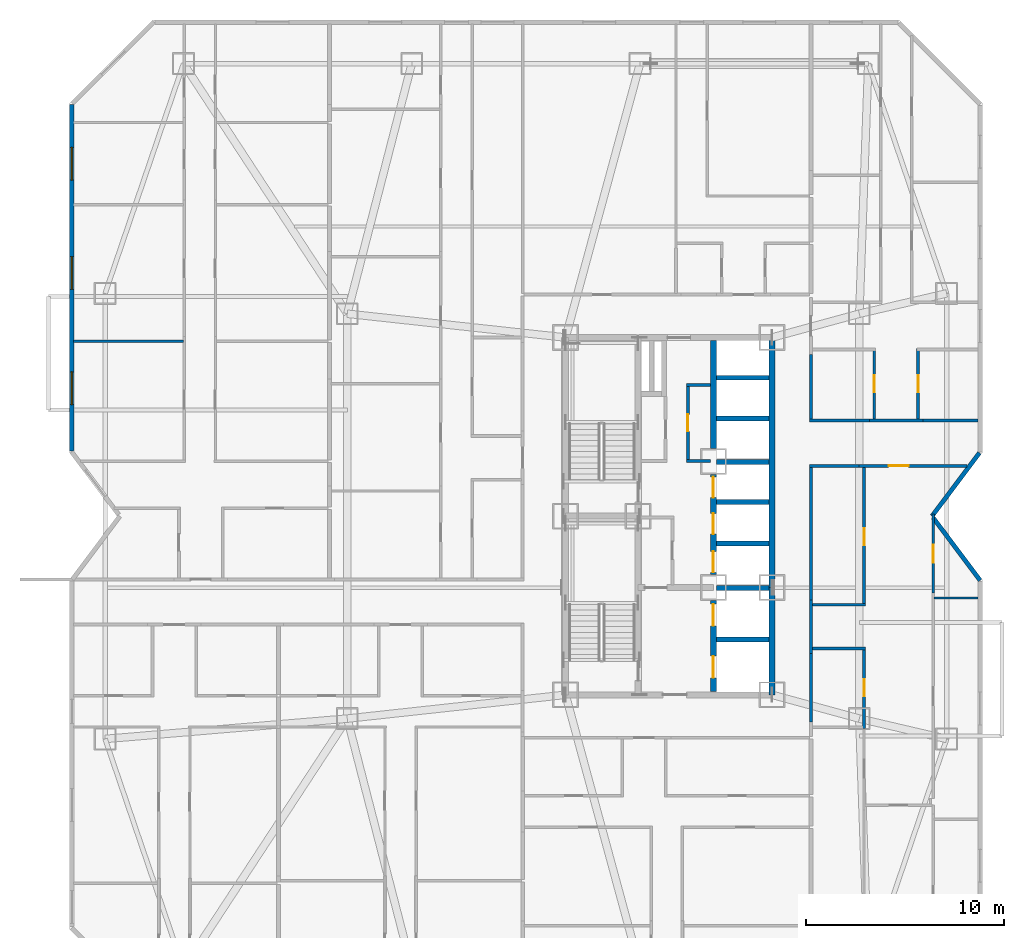
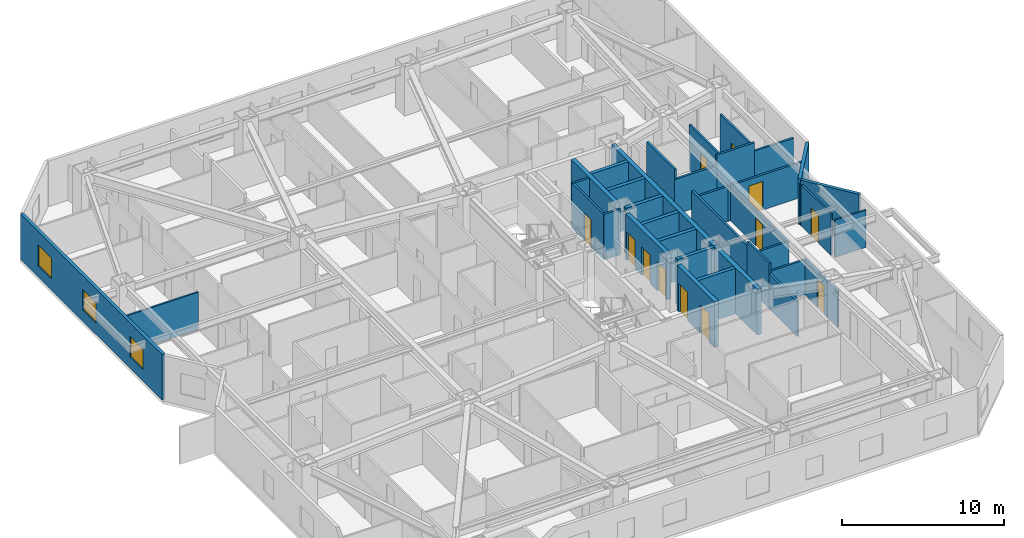
# One storey, part 10 of 14: 36 walls, 12 doors, 3 windows, 15 openings.
"""IFC4 building model written with IfcOpenShell, lengths in metres."""

from ifc_helpers import new_model, si_unit, direction, frame, frame_2d, origin, place, context, subcontext, project, spatial, rectangle, extrude, material, layer, layer_set, type_object, element, fill, save


model = new_model("IFC4")

# Units and contexts
model_context = context("Model", 3, precision=1e-05, world=origin(), true_north=direction((0.0, 1.0)))
body_context = subcontext(model_context, "Body", "Model", "MODEL_VIEW")
ifc_project = project(units=[si_unit("LENGTHUNIT", "METRE"), si_unit("AREAUNIT", "SQUARE_METRE"), si_unit("VOLUMEUNIT", "CUBIC_METRE"), si_unit("PLANEANGLEUNIT", "RADIAN"), si_unit("MASSUNIT", "GRAM", prefix="KILO")], contexts=[model_context])

# Site, building, storey
site_placement = place(None, origin())
site = spatial("IfcSite", under=ifc_project, at=site_placement, CompositionType="ELEMENT")
building_placement = place(site_placement, origin())
building = spatial("IfcBuilding", under=site, at=building_placement, Name="Khamvora Tower", CompositionType="ELEMENT")
storey_placement = place(building_placement, frame((0.0, 0.0, 51.550048828125)))
storey = spatial("IfcBuildingStorey", under=building, at=storey_placement, Name="L12", CompositionType="ELEMENT", Elevation=51.550048828125)

# Walls
ifc_material_1 = material(Name="Concrete C50/60", Category="concrete")
ifc_layer_1 = layer(ifc_material_1, 0.300048828125)
ifc_layer_set_1 = layer_set([ifc_layer_1], Name="Concrete C50/60")
wall_type_1 = type_object("IfcWallType", Name="WAL-CORE-300", PredefinedType="SHEAR", material=ifc_layer_set_1)
wall_1_placement = place(storey_placement, frame((39.39990234375, 19.0, 0.0), z_axis=(0.0, 0.0, 1.0), x_axis=(0.0, 1.0, 0.0)))
element("IfcWall", 1, at=wall_1_placement, inside=storey, type_object=wall_type_1, Name="L12 central core east south wall", PredefinedType="SHEAR", context=body_context, shape_type="SweptSolid", body=[
    extrude(rectangle(XDim=5.39990234375, YDim=0.300048828125, at=frame_2d((2.699951171875, 0.0))), origin(), (0.0, 0.0, 1.0), 3.429931640625),
])
wall_2_placement = place(storey_placement, frame((39.39990234375, 24.39990234375, 0.0), z_axis=(0.0, 0.0, 1.0), x_axis=(0.0, 1.0, 0.0)))
element("IfcWall", 2, at=wall_2_placement, inside=storey, type_object=wall_type_1, Name="L12 central core east north wall", PredefinedType="SHEAR", context=body_context, shape_type="SweptSolid", body=[
    extrude(rectangle(XDim=12.60009765625, YDim=0.300048828125, at=frame_2d((6.300048828125, 0.0))), origin(), (0.0, 0.0, 1.0), 3.429931640625),
])

# Wall, openings, doors
wall_3_placement = place(storey_placement, frame((36.449951171875, 19.154052734375, 0.0), z_axis=(0.0, 0.0, 1.0), x_axis=(0.0, 1.0, 0.0)))
wall_3 = element("IfcWall", 3, at=wall_3_placement, inside=storey, type_object=wall_type_1, Name="L12 central core lift bank south wall", PredefinedType="SHEAR", context=body_context, shape_type="SweptSolid", body=[
    extrude(rectangle(XDim=4.595947265625, YDim=0.300048828125, at=frame_2d((2.2978515625, 0.0))), origin(), (0.0, 0.0, 1.0), 3.429931640625),
])
opening_1_placement = place(wall_3_placement, frame((0.696044921875, 0.0, 0.0)))
opening_1 = element("IfcOpeningElement", 4, at=opening_1_placement, cuts=wall_3, Name="Opening LD-FFL", PredefinedType="OPENING", context=body_context, shape_type="SweptSolid", body=[
    extrude(rectangle(XDim=1.10009765625, YDim=2.14990234375, at=frame_2d((0.550048828125, 1.074951171875))), frame((0.0, 0.159912109375, 0.0), z_axis=(0.0, -1.0, 0.0), x_axis=(1.0, 0.0, 0.0)), (0.0, 0.0, 1.0), 0.320068359375),
])
opening_2_placement = place(wall_3_placement, frame((3.31591796875, 0.0, 0.0)))
opening_2 = element("IfcOpeningElement", 5, at=opening_2_placement, cuts=wall_3, Name="Opening LD-FFL", PredefinedType="OPENING", context=body_context, shape_type="SweptSolid", body=[
    extrude(rectangle(XDim=1.10009765625, YDim=2.14990234375, at=frame_2d((0.550048828125, 1.074951171875))), frame((0.0, 0.159912109375, 0.0), z_axis=(0.0, -1.0, 0.0), x_axis=(1.0, 0.0, 0.0)), (0.0, 0.0, 1.0), 0.320068359375),
])
ifc_material_2 = material(Name="Powder-Coated Steel and Hardwood Leaf", Category="steel")
door_type_1 = type_object("IfcDoorType", Name="DOR-LIFT-1100", OperationType="SLIDING_TO_LEFT", PredefinedType="DOOR", material=ifc_material_2)
door_1_placement = place(opening_1_placement, origin())
door_1 = element("IfcDoor", 6, at=door_1_placement, inside=storey, type_object=door_type_1, Name="L12 lift landing sliding door FFL-01", OperationType="SLIDING_TO_LEFT", OverallHeight=2.14990234375, OverallWidth=1.10009765625, PredefinedType="DOOR", context=body_context, shape_type="SweptSolid", body=[
    extrude(rectangle(XDim=1.10009765625, YDim=2.14990234375, at=frame_2d((0.550048828125, 1.074951171875))), frame((0.0, 0.02490234375, 0.0), z_axis=(0.0, -1.0, 0.0), x_axis=(1.0, 0.0, 0.0)), (0.0, 0.0, 1.0), 0.050048828125),
])
fill(opening_1, door_1)
door_2_placement = place(opening_2_placement, origin())
door_2 = element("IfcDoor", 7, at=door_2_placement, inside=storey, type_object=door_type_1, Name="L12 lift landing sliding door FFL-02", OperationType="SLIDING_TO_LEFT", OverallHeight=2.14990234375, OverallWidth=1.10009765625, PredefinedType="DOOR", context=body_context, shape_type="SweptSolid", body=[
    extrude(rectangle(XDim=1.10009765625, YDim=2.14990234375, at=frame_2d((0.550048828125, 1.074951171875))), frame((0.0, 0.02490234375, 0.0), z_axis=(0.0, -1.0, 0.0), x_axis=(1.0, 0.0, 0.0)), (0.0, 0.0, 1.0), 0.050048828125),
])
fill(opening_2, door_2)

wall_4_placement = place(storey_placement, frame((36.449951171875, 25.050048828125, 0.0), z_axis=(0.0, 0.0, 1.0), x_axis=(0.0, 1.0, 0.0)))
wall_4 = element("IfcWall", 8, at=wall_4_placement, inside=storey, type_object=wall_type_1, Name="L12 central core lift bank central wall", PredefinedType="SHEAR", context=body_context, shape_type="SweptSolid", body=[
    extrude(rectangle(XDim=5.050048828125, YDim=0.300048828125, at=frame_2d((2.52490234375, 0.0))), origin(), (0.0, 0.0, 1.0), 3.429931640625),
])
opening_3_placement = place(wall_4_placement, frame((0.1201171875, 0.0, 0.0)))
opening_3 = element("IfcOpeningElement", 9, at=opening_3_placement, cuts=wall_4, Name="Opening LD-PL", PredefinedType="OPENING", context=body_context, shape_type="SweptSolid", body=[
    extrude(rectangle(XDim=1.050048828125, YDim=2.14990234375, at=frame_2d((0.52490234375, 1.074951171875))), frame((0.0, 0.159912109375, 0.0), z_axis=(0.0, -1.0, 0.0), x_axis=(1.0, 0.0, 0.0)), (0.0, 0.0, 1.0), 0.320068359375),
])
opening_4_placement = place(wall_4_placement, frame((2.044921875, 0.0, 0.0)))
opening_4 = element("IfcOpeningElement", 10, at=opening_4_placement, cuts=wall_4, Name="Opening LD-PL", PredefinedType="OPENING", context=body_context, shape_type="SweptSolid", body=[
    extrude(rectangle(XDim=1.050048828125, YDim=2.14990234375, at=frame_2d((0.52490234375, 1.074951171875))), frame((0.0, 0.159912109375, 0.0), z_axis=(0.0, -1.0, 0.0), x_axis=(1.0, 0.0, 0.0)), (0.0, 0.0, 1.0), 0.320068359375),
])
opening_5_placement = place(wall_4_placement, frame((3.8798828125, 0.0, 0.0)))
opening_5 = element("IfcOpeningElement", 11, at=opening_5_placement, cuts=wall_4, Name="Opening LD-PL", PredefinedType="OPENING", context=body_context, shape_type="SweptSolid", body=[
    extrude(rectangle(XDim=1.050048828125, YDim=2.14990234375, at=frame_2d((0.52490234375, 1.074951171875))), frame((0.0, 0.159912109375, 0.0), z_axis=(0.0, -1.0, 0.0), x_axis=(1.0, 0.0, 0.0)), (0.0, 0.0, 1.0), 0.320068359375),
])
door_type_2 = type_object("IfcDoorType", Name="DOR-LIFT-1050", OperationType="SLIDING_TO_LEFT", PredefinedType="DOOR", material=ifc_material_2)
door_3_placement = place(opening_3_placement, origin())
door_3 = element("IfcDoor", 12, at=door_3_placement, inside=storey, type_object=door_type_2, Name="L12 lift landing sliding door PL-01", OperationType="SLIDING_TO_LEFT", OverallHeight=2.14990234375, OverallWidth=1.050048828125, PredefinedType="DOOR", context=body_context, shape_type="SweptSolid", body=[
    extrude(rectangle(XDim=1.050048828125, YDim=2.14990234375, at=frame_2d((0.52490234375, 1.074951171875))), frame((0.0, 0.02490234375, 0.0), z_axis=(0.0, -1.0, 0.0), x_axis=(1.0, 0.0, 0.0)), (0.0, 0.0, 1.0), 0.050048828125),
])
fill(opening_3, door_3)
door_4_placement = place(opening_4_placement, origin())
door_4 = element("IfcDoor", 13, at=door_4_placement, inside=storey, type_object=door_type_2, Name="L12 lift landing sliding door PL-02", OperationType="SLIDING_TO_LEFT", OverallHeight=2.14990234375, OverallWidth=1.050048828125, PredefinedType="DOOR", context=body_context, shape_type="SweptSolid", body=[
    extrude(rectangle(XDim=1.050048828125, YDim=2.14990234375, at=frame_2d((0.52490234375, 1.074951171875))), frame((0.0, 0.02490234375, 0.0), z_axis=(0.0, -1.0, 0.0), x_axis=(1.0, 0.0, 0.0)), (0.0, 0.0, 1.0), 0.050048828125),
])
fill(opening_4, door_4)
door_5_placement = place(opening_5_placement, origin())
door_5 = element("IfcDoor", 14, at=door_5_placement, inside=storey, type_object=door_type_2, Name="L12 lift landing sliding door PL-03", OperationType="SLIDING_TO_LEFT", OverallHeight=2.14990234375, OverallWidth=1.050048828125, PredefinedType="DOOR", context=body_context, shape_type="SweptSolid", body=[
    extrude(rectangle(XDim=1.050048828125, YDim=2.14990234375, at=frame_2d((0.52490234375, 1.074951171875))), frame((0.0, 0.02490234375, 0.0), z_axis=(0.0, -1.0, 0.0), x_axis=(1.0, 0.0, 0.0)), (0.0, 0.0, 1.0), 0.050048828125),
])
fill(opening_5, door_5)

# Walls
wall_5_placement = place(storey_placement, frame((36.449951171875, 31.39990234375, 0.0), z_axis=(0.0, 0.0, 1.0), x_axis=(0.0, 1.0, 0.0)))
element("IfcWall", 15, at=wall_5_placement, inside=storey, type_object=wall_type_1, Name="L12 central core lift bank north wall", PredefinedType="SHEAR", context=body_context, shape_type="SweptSolid", body=[
    extrude(rectangle(XDim=5.446044921875, YDim=0.300048828125, at=frame_2d((2.72314453125, 0.0))), origin(), (0.0, 0.0, 1.0), 3.429931640625),
])
ifc_material_3 = material(Name="Fire-Rated Drywall and Steel Stud", Category="steel")
ifc_layer_2 = layer(ifc_material_3, 0.14990234375)
ifc_layer_set_2 = layer_set([ifc_layer_2], Name="Fire-Rated Drywall and Steel Stud")
wall_type_2 = type_object("IfcWallType", Name="WAL-CORR-150", PredefinedType="STANDARD", material=ifc_layer_set_2)
wall_6_placement = place(storey_placement, frame((36.305908203125, 34.614990234375, 0.0), z_axis=(0.0, 0.0, 1.0), x_axis=(-1.0, 0.0, 0.0)))
element("IfcWall", 16, at=wall_6_placement, inside=storey, type_object=wall_type_2, Name="L12 interior partition wall 001", PredefinedType="STANDARD", context=body_context, shape_type="SweptSolid", body=[
    extrude(rectangle(XDim=1.205810546875, YDim=0.14990234375, at=frame_2d((0.60302734375, 0.0))), origin(), (0.0, 0.0, 1.0), 3.429931640625),
])

# Wall, opening, door
wall_7_placement = place(storey_placement, frame((35.1650390625, 34.677978515625, 0.0), z_axis=(0.0, 0.0, 1.0), x_axis=(0.0, -1.0, 0.0)))
wall_7 = element("IfcWall", 17, at=wall_7_placement, inside=storey, type_object=wall_type_2, Name="L12 interior partition wall 002", PredefinedType="STANDARD", context=body_context, shape_type="SweptSolid", body=[
    extrude(rectangle(XDim=3.9580078125, YDim=0.14990234375, at=frame_2d((1.97900390625, 0.0))), origin(), (0.0, 0.0, 1.0), 3.429931640625),
])
opening_6_placement = place(wall_7_placement, frame((1.553955078125, 0.0, 0.0)))
opening_6 = element("IfcOpeningElement", 18, at=opening_6_placement, cuts=wall_7, Name="Opening D-WC1", PredefinedType="OPENING", context=body_context, shape_type="SweptSolid", body=[
    extrude(rectangle(XDim=0.85009765625, YDim=2.10009765625, at=frame_2d((0.425048828125, 1.050048828125))), frame((0.0, 0.0849609375, 0.0), z_axis=(0.0, -1.0, 0.0), x_axis=(1.0, 0.0, 0.0)), (0.0, 0.0, 1.0), 0.169921875),
])
door_type_3 = type_object("IfcDoorType", Name="DOR-WET-850", OperationType="NOTDEFINED", PredefinedType="DOOR", material=ifc_material_2)
door_6_placement = place(opening_6_placement, origin())
door_6 = element("IfcDoor", 19, at=door_6_placement, inside=storey, type_object=door_type_3, Name="L12 interior door PLL-CS1", OperationType="SINGLE_SWING_RIGHT", OverallHeight=2.10009765625, OverallWidth=0.85009765625, PredefinedType="DOOR", context=body_context, shape_type="SweptSolid", body=[
    extrude(rectangle(XDim=0.85009765625, YDim=2.10009765625, at=frame_2d((0.425048828125, 1.050048828125))), frame((0.0, 0.02490234375, 0.0), z_axis=(0.0, -1.0, 0.0), x_axis=(1.0, 0.0, 0.0)), (0.0, 0.0, 1.0), 0.050048828125),
])
fill(opening_6, door_6)

# Wall
wall_8_placement = place(storey_placement, frame((35.10205078125, 30.784912109375, 0.0), z_axis=(0.0, 0.0, 1.0), x_axis=(1.0, 0.0, 0.0)))
element("IfcWall", 20, at=wall_8_placement, inside=storey, type_object=wall_type_2, Name="L12 interior partition wall 003", PredefinedType="STANDARD", context=body_context, shape_type="SweptSolid", body=[
    extrude(rectangle(XDim=1.197998046875, YDim=0.14990234375, at=frame_2d((0.59912109375, 0.0))), origin(), (0.0, 0.0, 1.0), 3.429931640625),
])

# Wall, opening, door
wall_9_placement = place(storey_placement, frame((49.236083984375, 30.534912109375, 0.0), z_axis=(0.0, 0.0, 1.0), x_axis=(-1.0, 0.0, 0.0)))
wall_9 = element("IfcWall", 21, at=wall_9_placement, inside=storey, type_object=wall_type_2, Name="L12 interior partition wall 035", PredefinedType="STANDARD", context=body_context, shape_type="SweptSolid", body=[
    extrude(rectangle(XDim=5.447021484375, YDim=0.14990234375, at=frame_2d((2.7236328125, 0.0))), origin(), (0.0, 0.0, 1.0), 2.64697265625),
])
opening_7_placement = place(wall_9_placement, frame((2.9580078125, 0.0, 0.0)))
opening_7 = element("IfcOpeningElement", 22, at=opening_7_placement, cuts=wall_9, Name="Opening D-U1", PredefinedType="OPENING", context=body_context, shape_type="SweptSolid", body=[
    extrude(rectangle(XDim=1.0, YDim=2.14990234375, at=frame_2d((0.5, 1.074951171875))), frame((0.0, 0.0849609375, 0.0), z_axis=(0.0, -1.0, 0.0), x_axis=(1.0, 0.0, 0.0)), (0.0, 0.0, 1.0), 0.169921875),
])
door_type_4 = type_object("IfcDoorType", Name="DOR-UNIT-1000", OperationType="NOTDEFINED", PredefinedType="DOOR", material=ifc_material_2)
door_7_placement = place(opening_7_placement, origin())
door_7 = element("IfcDoor", 23, at=door_7_placement, inside=storey, type_object=door_type_4, Name="L12 interior door COR-12EAH", OperationType="SINGLE_SWING_RIGHT", OverallHeight=2.14990234375, OverallWidth=1.0, PredefinedType="DOOR", context=body_context, shape_type="SweptSolid", body=[
    extrude(rectangle(XDim=1.0, YDim=2.14990234375, at=frame_2d((0.5, 1.074951171875))), frame((0.0, 0.02490234375, 0.0), z_axis=(0.0, -1.0, 0.0), x_axis=(1.0, 0.0, 0.0)), (0.0, 0.0, 1.0), 0.050048828125),
])
fill(opening_7, door_7)

# Walls
wall_10_placement = place(storey_placement, frame((41.364990234375, 23.782958984375, 0.0), z_axis=(0.0, 0.0, 1.0), x_axis=(0.0, -1.0, 0.0)))
element("IfcWall", 24, at=wall_10_placement, inside=storey, type_object=wall_type_2, Name="L12 interior partition wall 036", PredefinedType="STANDARD", context=body_context, shape_type="SweptSolid", body=[
    extrude(rectangle(XDim=2.697998046875, YDim=0.14990234375, at=frame_2d((1.34912109375, 0.0))), origin(), (0.0, 0.0, 1.0), 3.429931640625),
])
wall_11_placement = place(storey_placement, frame((41.364990234375, 21.0849609375, 0.0), z_axis=(0.0, 0.0, 1.0), x_axis=(0.0, -1.0, 0.0)))
element("IfcWall", 25, at=wall_11_placement, inside=storey, type_object=wall_type_2, Name="L12 interior partition wall 037", PredefinedType="STANDARD", context=body_context, shape_type="SweptSolid", body=[
    extrude(rectangle(XDim=3.467041015625, YDim=0.14990234375, at=frame_2d((1.7333984375, 0.0))), origin(), (0.0, 0.0, 1.0), 2.64697265625),
])
wall_12_placement = place(storey_placement, frame((43.7890625, 30.534912109375, 0.0), z_axis=(0.0, 0.0, 1.0), x_axis=(-1.0, 0.0, 0.0)))
element("IfcWall", 26, at=wall_12_placement, inside=storey, type_object=wall_type_2, Name="L12 interior partition wall 038", PredefinedType="STANDARD", context=body_context, shape_type="SweptSolid", body=[
    extrude(rectangle(XDim=2.489013671875, YDim=0.14990234375, at=frame_2d((1.24462890625, 0.0))), origin(), (0.0, 0.0, 1.0), 2.64697265625),
])
wall_13_placement = place(storey_placement, frame((41.364990234375, 30.60009765625, 0.0), z_axis=(0.0, 0.0, 1.0), x_axis=(0.0, -1.0, 0.0)))
element("IfcWall", 27, at=wall_13_placement, inside=storey, type_object=wall_type_2, Name="L12 interior partition wall 039", PredefinedType="STANDARD", context=body_context, shape_type="SweptSolid", body=[
    extrude(rectangle(XDim=6.817138671875, YDim=0.14990234375, at=frame_2d((3.40869140625, 0.0))), origin(), (0.0, 0.0, 1.0), 3.10693359375),
])
wall_14_placement = place(storey_placement, frame((44.31103515625, 32.81494140625, 0.0), z_axis=(0.0, 0.0, 1.0), x_axis=(1.0, 0.0, 0.0)))
element("IfcWall", 28, at=wall_14_placement, inside=storey, type_object=wall_type_2, Name="L12 interior partition wall 041", PredefinedType="STANDARD", context=body_context, shape_type="SweptSolid", body=[
    extrude(rectangle(XDim=2.697998046875, YDim=0.14990234375, at=frame_2d((1.34912109375, 0.0))), origin(), (0.0, 0.0, 1.0), 3.429931640625),
])
wall_15_placement = place(storey_placement, frame((41.364990234375, 36.14599609375, 0.0), z_axis=(0.0, 0.0, 1.0), x_axis=(0.0, -1.0, 0.0)))
element("IfcWall", 29, at=wall_15_placement, inside=storey, type_object=wall_type_2, Name="L12 interior partition wall 042", PredefinedType="STANDARD", context=body_context, shape_type="SweptSolid", body=[
    extrude(rectangle(XDim=3.39599609375, YDim=0.14990234375, at=frame_2d((1.697998046875, 0.0))), origin(), (0.0, 0.0, 1.0), 3.429931640625),
])
wall_16_placement = place(storey_placement, frame((41.300048828125, 32.81494140625, 0.0), z_axis=(0.0, 0.0, 1.0), x_axis=(1.0, 0.0, 0.0)))
element("IfcWall", 30, at=wall_16_placement, inside=storey, type_object=wall_type_2, Name="L12 interior partition wall 043", PredefinedType="STANDARD", context=body_context, shape_type="SweptSolid", body=[
    extrude(rectangle(XDim=3.010986328125, YDim=0.14990234375, at=frame_2d((1.50537109375, 0.0))), origin(), (0.0, 0.0, 1.0), 2.64697265625),
])
wall_17_placement = place(storey_placement, frame((47.009033203125, 32.81494140625, 0.0), z_axis=(0.0, 0.0, 1.0), x_axis=(1.0, 0.0, 0.0)))
element("IfcWall", 31, at=wall_17_placement, inside=storey, type_object=wall_type_2, Name="L12 interior partition wall 044", PredefinedType="STANDARD", context=body_context, shape_type="SweptSolid", body=[
    extrude(rectangle(XDim=2.779052734375, YDim=0.14990234375, at=frame_2d((1.3896484375, 0.0))), origin(), (0.0, 0.0, 1.0), 2.802978515625),
])

# Wall, openings, windows
ifc_material_4 = material(Name="Precast concrete C40/50", Category="concrete")
ifc_layer_3 = layer(ifc_material_4, 0.219970703125)
ifc_layer_set_3 = layer_set([ifc_layer_3], Name="Precast concrete C40/50")
wall_type_3 = type_object("IfcWallType", Name="WAL-EXT-220", PredefinedType="STANDARD", material=ifc_layer_set_3)
wall_18_placement = place(storey_placement, frame((4.110107421875, 31.294921875, 0.0), z_axis=(0.0, 0.0, 1.0), x_axis=(0.0, 1.0, 0.0)))
wall_18 = element("IfcWall", 32, at=wall_18_placement, inside=storey, type_object=wall_type_3, Name="L12 exterior facade wall 05.1", PredefinedType="STANDARD", context=body_context, shape_type="SweptSolid", body=[
    extrude(rectangle(XDim=17.458984375, YDim=0.219970703125, at=frame_2d((8.7294921875, 0.0))), origin(), (0.0, 0.0, 1.0), 3.429931640625),
])
opening_8_placement = place(wall_18_placement, frame((2.323974609375, 0.0, 0.85009765625)))
opening_8 = element("IfcOpeningElement", 33, at=opening_8_placement, cuts=wall_18, Name="Opening WN-06", PredefinedType="OPENING", context=body_context, shape_type="SweptSolid", body=[
    extrude(rectangle(XDim=1.64990234375, YDim=1.550048828125, at=frame_2d((0.824951171875, 0.77490234375))), frame((0.0, 0.119873046875, 0.0), z_axis=(0.0, -1.0, 0.0), x_axis=(1.0, 0.0, 0.0)), (0.0, 0.0, 1.0), 0.239990234375),
])
opening_9_placement = place(wall_18_placement, frame((8.12890625, 0.0, 0.85009765625)))
opening_9 = element("IfcOpeningElement", 34, at=opening_9_placement, cuts=wall_18, Name="Opening WN-06", PredefinedType="OPENING", context=body_context, shape_type="SweptSolid", body=[
    extrude(rectangle(XDim=1.64990234375, YDim=1.550048828125, at=frame_2d((0.824951171875, 0.77490234375))), frame((0.0, 0.119873046875, 0.0), z_axis=(0.0, -1.0, 0.0), x_axis=(1.0, 0.0, 0.0)), (0.0, 0.0, 1.0), 0.239990234375),
])
opening_10_placement = place(wall_18_placement, frame((13.64111328125, 0.0, 0.85009765625)))
opening_10 = element("IfcOpeningElement", 35, at=opening_10_placement, cuts=wall_18, Name="Opening WN-06", PredefinedType="OPENING", context=body_context, shape_type="SweptSolid", body=[
    extrude(rectangle(XDim=1.64990234375, YDim=1.550048828125, at=frame_2d((0.824951171875, 0.77490234375))), frame((0.0, 0.119873046875, 0.0), z_axis=(0.0, -1.0, 0.0), x_axis=(1.0, 0.0, 0.0)), (0.0, 0.0, 1.0), 0.239990234375),
])
ifc_material_5 = material(Name="Low-E Laminated Double Glazing", Category="glass")
window_type = type_object("IfcWindowType", Name="WIN-VIS-1650x1550", PartitioningType="SINGLE_PANEL", PredefinedType="WINDOW", material=ifc_material_5)
window_1_placement = place(opening_8_placement, origin())
window_1 = element("IfcWindow", 36, at=window_1_placement, inside=storey, type_object=window_type, Name="L12 vision window 05.1.01", OverallHeight=1.550048828125, OverallWidth=1.64990234375, PartitioningType="SINGLE_PANEL", PredefinedType="WINDOW", context=body_context, shape_type="SweptSolid", body=[
    extrude(rectangle(XDim=1.64990234375, YDim=1.550048828125, at=frame_2d((0.824951171875, 0.77490234375))), frame((0.0, 0.030029296875, 0.0), z_axis=(0.0, -1.0, 0.0), x_axis=(1.0, 0.0, 0.0)), (0.0, 0.0, 1.0), 0.06005859375),
])
fill(opening_8, window_1)
window_2_placement = place(opening_9_placement, origin())
window_2 = element("IfcWindow", 37, at=window_2_placement, inside=storey, type_object=window_type, Name="L12 vision window 05.1.02", OverallHeight=1.550048828125, OverallWidth=1.64990234375, PartitioningType="SINGLE_PANEL", PredefinedType="WINDOW", context=body_context, shape_type="SweptSolid", body=[
    extrude(rectangle(XDim=1.64990234375, YDim=1.550048828125, at=frame_2d((0.824951171875, 0.77490234375))), frame((0.0, 0.030029296875, 0.0), z_axis=(0.0, -1.0, 0.0), x_axis=(1.0, 0.0, 0.0)), (0.0, 0.0, 1.0), 0.06005859375),
])
fill(opening_9, window_2)
window_3_placement = place(opening_10_placement, origin())
window_3 = element("IfcWindow", 38, at=window_3_placement, inside=storey, type_object=window_type, Name="L12 vision window 05.1.03", OverallHeight=1.550048828125, OverallWidth=1.64990234375, PartitioningType="SINGLE_PANEL", PredefinedType="WINDOW", context=body_context, shape_type="SweptSolid", body=[
    extrude(rectangle(XDim=1.64990234375, YDim=1.550048828125, at=frame_2d((0.824951171875, 0.77490234375))), frame((0.0, 0.030029296875, 0.0), z_axis=(0.0, -1.0, 0.0), x_axis=(1.0, 0.0, 0.0)), (0.0, 0.0, 1.0), 0.06005859375),
])
fill(opening_10, window_3)

# Walls
wall_19_placement = place(storey_placement, frame((49.85595703125, 31.19091796875, 0.0), z_axis=(0.0, 0.0, 1.0), x_axis=(-0.600137081448, -0.799897170561, 0.0)))
element("IfcWall", 39, at=wall_19_placement, inside=storey, type_object=wall_type_3, Name="L12 exterior facade wall 10.1", PredefinedType="STANDARD", context=body_context, shape_type="SweptSolid", body=[
    extrude(rectangle(XDim=3.9892578125, YDim=0.219970703125, at=frame_2d((1.99462890625, 0.0))), origin(), (0.0, 0.0, 1.0), 3.429931640625),
])
wall_20_placement = place(storey_placement, frame((47.51904296875, 27.923095703125, 0.0), z_axis=(0.0, 0.0, 1.0), x_axis=(0.600118645218, -0.799911002338, 0.0)))
element("IfcWall", 40, at=wall_20_placement, inside=storey, type_object=wall_type_3, Name="L12 exterior facade wall 11.1", PredefinedType="STANDARD", context=body_context, shape_type="SweptSolid", body=[
    extrude(rectangle(XDim=3.95068359375, YDim=0.219970703125, at=frame_2d((1.975341796875, 0.0))), origin(), (0.0, 0.0, 1.0), 3.429931640625),
])
ifc_material_6 = material(Name="Gypsum Plasterboard Partition", Category="gypsum")
ifc_layer_4 = layer(ifc_material_6, 0.1201171875)
ifc_layer_set_4 = layer_set([ifc_layer_4], Name="Gypsum Plasterboard Partition")
wall_type_4 = type_object("IfcWallType", Name="WAL-PART-120", PredefinedType="PARTITIONING", material=ifc_layer_set_4)
wall_21_placement = place(storey_placement, frame((4.2119140625, 36.80810546875, 0.0), z_axis=(0.0, 0.0, 1.0), x_axis=(1.0, 0.0, 0.0)))
element("IfcWall", 41, at=wall_21_placement, inside=storey, type_object=wall_type_4, Name="L12 interior partition wall 099", PredefinedType="PARTITIONING", context=body_context, shape_type="SweptSolid", body=[
    extrude(rectangle(XDim=5.524169921875, YDim=0.1201171875, at=frame_2d((2.76220703125, 0.0))), origin(), (0.0, 0.0, 1.0), 2.802978515625),
])

# Wall, opening, door
wall_22_placement = place(storey_placement, frame((47.51806640625, 28.097900390625, 0.0), z_axis=(0.0, 0.0, 1.0), x_axis=(0.0, -1.0, 0.0)))
wall_22 = element("IfcWall", 42, at=wall_22_placement, inside=storey, type_object=wall_type_4, Name="L12 interior partition wall 163", PredefinedType="PARTITIONING", context=body_context, shape_type="SweptSolid", body=[
    extrude(rectangle(XDim=3.971923828125, YDim=0.1201171875, at=frame_2d((1.98583984375, 0.0))), origin(), (0.0, 0.0, 1.0), 3.10693359375),
])
opening_11_placement = place(wall_22_placement, frame((1.535888671875, 0.0, 0.0)))
opening_11 = element("IfcOpeningElement", 43, at=opening_11_placement, cuts=wall_22, Name="Opening D-RM1", PredefinedType="OPENING", context=body_context, shape_type="SweptSolid", body=[
    extrude(rectangle(XDim=0.89990234375, YDim=2.10009765625, at=frame_2d((0.449951171875, 1.050048828125))), frame((0.0, 0.070068359375, 0.0), z_axis=(0.0, -1.0, 0.0), x_axis=(1.0, 0.0, 0.0)), (0.0, 0.0, 1.0), 0.14013671875),
])
door_type_5 = type_object("IfcDoorType", Name="DOR-ROOM-900", OperationType="NOTDEFINED", PredefinedType="DOOR", material=ifc_material_2)
door_8_placement = place(opening_11_placement, origin())
door_8 = element("IfcDoor", 44, at=door_8_placement, inside=storey, type_object=door_type_5, Name="L12 interior door 12EAH-12EAR3", OperationType="SINGLE_SWING_RIGHT", OverallHeight=2.10009765625, OverallWidth=0.89990234375, PredefinedType="DOOR", context=body_context, shape_type="SweptSolid", body=[
    extrude(rectangle(XDim=0.89990234375, YDim=2.10009765625, at=frame_2d((0.449951171875, 1.050048828125))), frame((0.0, 0.02490234375, 0.0), z_axis=(0.0, -1.0, 0.0), x_axis=(1.0, 0.0, 0.0)), (0.0, 0.0, 1.0), 0.050048828125),
])
fill(opening_11, door_8)

# Walls
wall_23_placement = place(storey_placement, frame((47.572021484375, 23.876953125, 0.0), z_axis=(0.0, 0.0, 1.0), x_axis=(1.0, 0.0, 0.0)))
element("IfcWall", 45, at=wall_23_placement, inside=storey, type_object=wall_type_4, Name="L12 interior partition wall 167", PredefinedType="PARTITIONING", context=body_context, shape_type="SweptSolid", body=[
    extrude(rectangle(XDim=2.216064453125, YDim=0.1201171875, at=frame_2d((1.10791015625, 0.0))), origin(), (0.0, 0.0, 1.0), 2.802978515625),
])
ifc_material_7 = material(Name="Concrete C40/50", Category="concrete")
ifc_layer_5 = layer(ifc_material_7, 0.25)
ifc_layer_set_5 = layer_set([ifc_layer_5], Name="Concrete C40/50")
wall_type_5 = type_object("IfcWallType", Name="WAL-PODS-250", PredefinedType="SHEAR", material=ifc_layer_set_5)
for number, where, z_axis, x_axis, name in (
    (46, (36.60400390625, 21.77490234375, 0.0), (0.0, 0.0, 1.0), (1.0, 0.0, 0.0), "L12 lift shaft divider wall FFL-01"),
    (47, (36.60400390625, 24.375, 0.0), (0.0, 0.0, 1.0), (1.0, 0.0, 0.0), "L12 lift shaft divider wall FFL-02"),
    (48, (36.60400390625, 26.625, 0.0), (0.0, 0.0, 1.0), (1.0, 0.0, 0.0), "L12 lift shaft divider wall PL-01"),
    (49, (36.60400390625, 28.72509765625, 0.0), (0.0, 0.0, 1.0), (1.0, 0.0, 0.0), "L12 lift shaft divider wall PL-02"),
    (50, (36.60400390625, 30.72509765625, 0.0), (0.0, 0.0, 1.0), (1.0, 0.0, 0.0), "L12 lift shaft divider wall PL-03"),
    (51, (36.60400390625, 32.925048828125, 0.0), (0.0, 0.0, 1.0), (1.0, 0.0, 0.0), "L12 lift shaft divider wall PH-01"),
    (52, (36.60400390625, 34.97509765625, 0.0), (0.0, 0.0, 1.0), (1.0, 0.0, 0.0), "L12 lift shaft divider wall PH-02"),
):
    element("IfcWall", number, at=place(storey_placement, frame(where, z_axis=z_axis, x_axis=x_axis)), inside=storey, type_object=wall_type_5, Name=name, PredefinedType="SHEAR", context=body_context, shape_type="SweptSolid", body=[
        extrude(rectangle(XDim=2.64208984375, YDim=0.25, at=frame_2d((1.321044921875, 0.0))), origin(), (0.0, 0.0, 1.0), 3.429931640625),
    ])

# Wall, opening, door
ifc_material_8 = material(Name="Moisture-Resistant Plasterboard Partition", Category="gypsum")
ifc_layer_6 = layer(ifc_material_8, 0.135009765625)
ifc_layer_set_6 = layer_set([ifc_layer_6], Name="Moisture-Resistant Plasterboard Partition")
wall_type_6 = type_object("IfcWallType", Name="WAL-WET-135", PredefinedType="PARTITIONING", material=ifc_layer_set_6)
wall_24_placement = place(storey_placement, frame((44.0380859375, 17.303955078125, 0.0), z_axis=(0.0, 0.0, 1.0), x_axis=(0.0, 1.0, 0.0)))
wall_24 = element("IfcWall", 53, at=wall_24_placement, inside=storey, type_object=wall_type_6, Name="L12 interior partition wall 158", PredefinedType="PARTITIONING", context=body_context, shape_type="SweptSolid", body=[
    extrude(rectangle(XDim=4.094970703125, YDim=0.135009765625, at=frame_2d((2.04736328125, 0.0))), origin(), (0.0, 0.0, 1.0), 2.64697265625),
])
opening_12_placement = place(wall_24_placement, frame((1.6220703125, 0.0, 0.0)))
opening_12 = element("IfcOpeningElement", 54, at=opening_12_placement, cuts=wall_24, Name="Opening D-WC1", PredefinedType="OPENING", context=body_context, shape_type="SweptSolid", body=[
    extrude(rectangle(XDim=0.85009765625, YDim=2.10009765625, at=frame_2d((0.425048828125, 1.050048828125))), frame((0.0, 0.077392578125, 0.0), z_axis=(0.0, -1.0, 0.0), x_axis=(1.0, 0.0, 0.0)), (0.0, 0.0, 1.0), 0.155029296875),
])
door_9_placement = place(opening_12_placement, origin())
door_9 = element("IfcDoor", 55, at=door_9_placement, inside=storey, type_object=door_type_3, Name="L12 interior door 12EAH-12EAB", OperationType="SINGLE_SWING_RIGHT", OverallHeight=2.10009765625, OverallWidth=0.85009765625, PredefinedType="DOOR", context=body_context, shape_type="SweptSolid", body=[
    extrude(rectangle(XDim=0.85009765625, YDim=2.10009765625, at=frame_2d((0.425048828125, 1.050048828125))), frame((0.0, 0.02490234375, 0.0), z_axis=(0.0, -1.0, 0.0), x_axis=(1.0, 0.0, 0.0)), (0.0, 0.0, 1.0), 0.050048828125),
])
fill(opening_12, door_9)

# Walls
for number, where, z_axis, x_axis, name in (
    (56, (44.10302734375, 21.333984375, 0.0), (0.0, 0.0, 1.0), (-1.0, 0.0, 0.0), "L12 interior partition wall 159"),
    (57, (41.431884765625, 23.533935546875, 0.0), (0.0, 0.0, 1.0), (1.0, 0.0, 0.0), "L12 interior partition wall 160"),
):
    element("IfcWall", number, at=place(storey_placement, frame(where, z_axis=z_axis, x_axis=x_axis)), inside=storey, type_object=wall_type_6, Name=name, PredefinedType="PARTITIONING", context=body_context, shape_type="SweptSolid", body=[
        extrude(rectangle(XDim=2.671142578125, YDim=0.135009765625, at=frame_2d((1.33544921875, 0.0))), origin(), (0.0, 0.0, 1.0), 2.64697265625),
    ])

# Wall, opening, door
wall_25_placement = place(storey_placement, frame((44.0380859375, 23.468994140625, 0.0), z_axis=(0.0, 0.0, 1.0), x_axis=(0.0, 1.0, 0.0)))
wall_25 = element("IfcWall", 58, at=wall_25_placement, inside=storey, type_object=wall_type_6, Name="L12 interior partition wall 161", PredefinedType="PARTITIONING", context=body_context, shape_type="SweptSolid", body=[
    extrude(rectangle(XDim=7.0009765625, YDim=0.135009765625, at=frame_2d((3.50048828125, 0.0))), origin(), (0.0, 0.0, 1.0), 2.64697265625),
])
opening_13_placement = place(wall_25_placement, frame((3.075927734375, 0.0, 0.0)))
opening_13 = element("IfcOpeningElement", 59, at=opening_13_placement, cuts=wall_25, Name="Opening D-RM2", PredefinedType="OPENING", context=body_context, shape_type="SweptSolid", body=[
    extrude(rectangle(XDim=0.85009765625, YDim=2.10009765625, at=frame_2d((0.425048828125, 1.050048828125))), frame((0.0, 0.077392578125, 0.0), z_axis=(0.0, -1.0, 0.0), x_axis=(1.0, 0.0, 0.0)), (0.0, 0.0, 1.0), 0.155029296875),
])
door_type_6 = type_object("IfcDoorType", Name="DOR-ROOM-850", OperationType="NOTDEFINED", PredefinedType="DOOR", material=ifc_material_2)
door_10_placement = place(opening_13_placement, origin())
door_10 = element("IfcDoor", 60, at=door_10_placement, inside=storey, type_object=door_type_6, Name="L12 interior door 12EAH-12EAK", OperationType="SINGLE_SWING_RIGHT", OverallHeight=2.10009765625, OverallWidth=0.85009765625, PredefinedType="DOOR", context=body_context, shape_type="SweptSolid", body=[
    extrude(rectangle(XDim=0.85009765625, YDim=2.10009765625, at=frame_2d((0.425048828125, 1.050048828125))), frame((0.0, 0.02490234375, 0.0), z_axis=(0.0, -1.0, 0.0), x_axis=(1.0, 0.0, 0.0)), (0.0, 0.0, 1.0), 0.050048828125),
])
fill(opening_13, door_10)

wall_26_placement = place(storey_placement, frame((44.56005859375, 32.8798828125, 0.0), z_axis=(0.0, 0.0, 1.0), x_axis=(0.0, 1.0, 0.0)))
wall_26 = element("IfcWall", 61, at=wall_26_placement, inside=storey, type_object=wall_type_6, Name="L12 interior partition wall 168", PredefinedType="PARTITIONING", context=body_context, shape_type="SweptSolid", body=[
    extrude(rectangle(XDim=3.580078125, YDim=0.135009765625, at=frame_2d((1.7900390625, 0.0))), origin(), (0.0, 0.0, 1.0), 3.429931640625),
])
opening_14_placement = place(wall_26_placement, frame((1.364990234375, 0.0, 0.0)))
opening_14 = element("IfcOpeningElement", 62, at=opening_14_placement, cuts=wall_26, Name="Opening D-WC1", PredefinedType="OPENING", context=body_context, shape_type="SweptSolid", body=[
    extrude(rectangle(XDim=0.85009765625, YDim=2.10009765625, at=frame_2d((0.425048828125, 1.050048828125))), frame((0.0, 0.077392578125, 0.0), z_axis=(0.0, -1.0, 0.0), x_axis=(1.0, 0.0, 0.0)), (0.0, 0.0, 1.0), 0.155029296875),
])
door_11_placement = place(opening_14_placement, origin())
door_11 = element("IfcDoor", 63, at=door_11_placement, inside=storey, type_object=door_type_3, Name="L12 interior door 12ECH-12ECB", OperationType="SINGLE_SWING_RIGHT", OverallHeight=2.10009765625, OverallWidth=0.85009765625, PredefinedType="DOOR", context=body_context, shape_type="SweptSolid", body=[
    extrude(rectangle(XDim=0.85009765625, YDim=2.10009765625, at=frame_2d((0.425048828125, 1.050048828125))), frame((0.0, 0.02490234375, 0.0), z_axis=(0.0, -1.0, 0.0), x_axis=(1.0, 0.0, 0.0)), (0.0, 0.0, 1.0), 0.050048828125),
])
fill(opening_14, door_11)

wall_27_placement = place(storey_placement, frame((46.760009765625, 36.4599609375, 0.0), z_axis=(0.0, 0.0, 1.0), x_axis=(0.0, -1.0, 0.0)))
wall_27 = element("IfcWall", 64, at=wall_27_placement, inside=storey, type_object=wall_type_6, Name="L12 interior partition wall 171", PredefinedType="PARTITIONING", context=body_context, shape_type="SweptSolid", body=[
    extrude(rectangle(XDim=3.580078125, YDim=0.135009765625, at=frame_2d((1.7900390625, 0.0))), origin(), (0.0, 0.0, 1.0), 3.429931640625),
])
opening_15_placement = place(wall_27_placement, frame((1.364990234375, 0.0, 0.0)))
opening_15 = element("IfcOpeningElement", 65, at=opening_15_placement, cuts=wall_27, Name="Opening D-RM2", PredefinedType="OPENING", context=body_context, shape_type="SweptSolid", body=[
    extrude(rectangle(XDim=0.85009765625, YDim=2.10009765625, at=frame_2d((0.425048828125, 1.050048828125))), frame((0.0, 0.077392578125, 0.0), z_axis=(0.0, -1.0, 0.0), x_axis=(1.0, 0.0, 0.0)), (0.0, 0.0, 1.0), 0.155029296875),
])
door_12_placement = place(opening_15_placement, origin())
door_12 = element("IfcDoor", 66, at=door_12_placement, inside=storey, type_object=door_type_6, Name="L12 interior door 12ECH-12ECK", OperationType="SINGLE_SWING_LEFT", OverallHeight=2.10009765625, OverallWidth=0.85009765625, PredefinedType="DOOR", context=body_context, shape_type="SweptSolid", body=[
    extrude(rectangle(XDim=0.85009765625, YDim=2.10009765625, at=frame_2d((0.425048828125, 1.050048828125))), frame((0.0, 0.02490234375, 0.0), z_axis=(0.0, -1.0, 0.0), x_axis=(1.0, 0.0, 0.0)), (0.0, 0.0, 1.0), 0.050048828125),
])
fill(opening_15, door_12)

save(model, "model.ifc")
